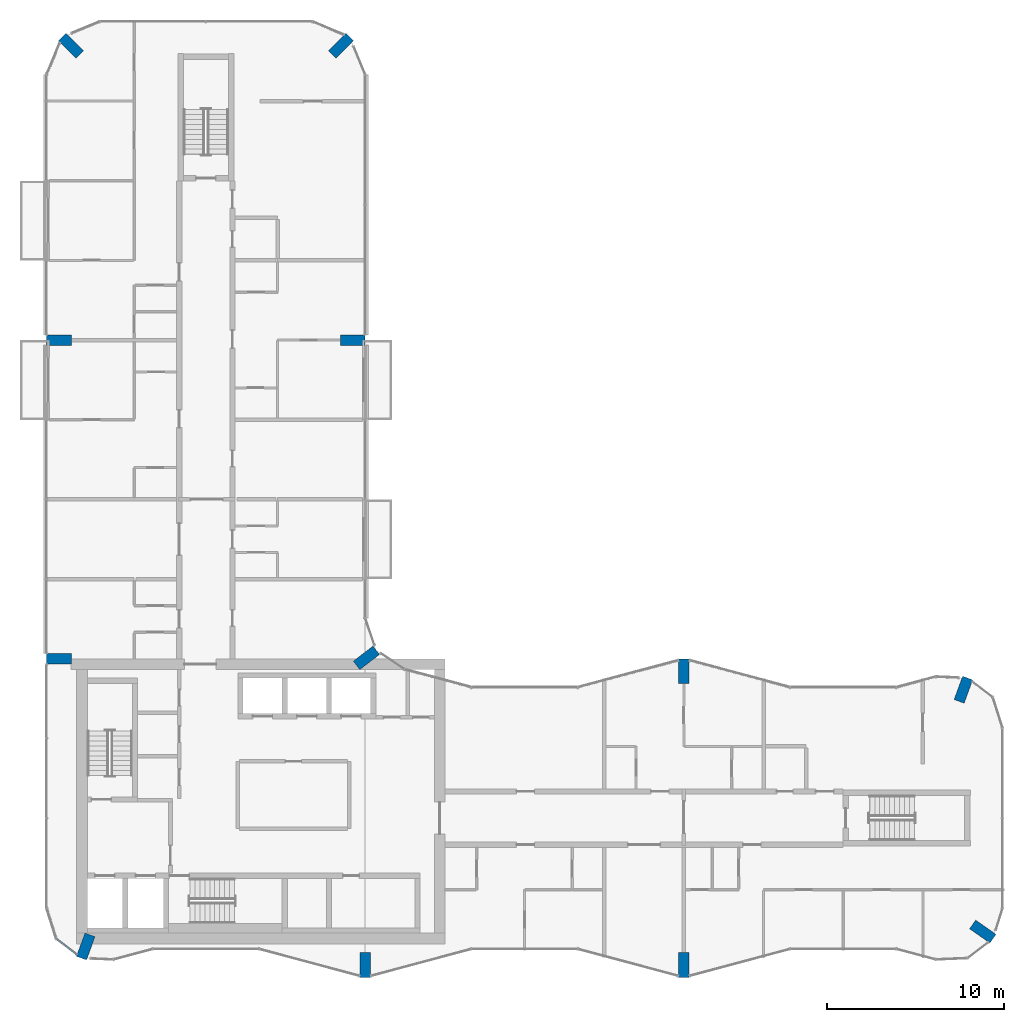
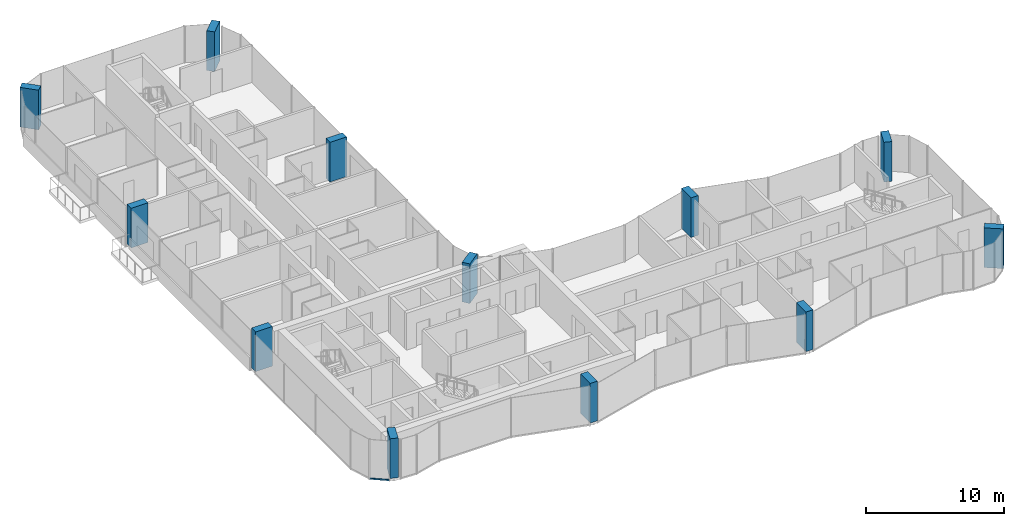
# One storey, part 1 of 15: 12 columns, 1 member, 1 element without a shape of its own.
"""IFC4 building model written with IfcOpenShell, lengths in metres."""

from ifc_helpers import new_model, si_unit, direction, frame, origin, origin_2d, place, context, subcontext, project, spatial, rectangle, extrude, material, layer, layer_set, material_profile, profile_set, type_object, element, aggregate, save


model = new_model("IFC4")

# Units and contexts
model_context = context("Model", 3, precision=1e-05, world=origin(), true_north=direction((0.0, 1.0)))
body_context = subcontext(model_context, "Body", "Model", "MODEL_VIEW")
ifc_project = project(units=[si_unit("LENGTHUNIT", "METRE"), si_unit("AREAUNIT", "SQUARE_METRE"), si_unit("VOLUMEUNIT", "CUBIC_METRE"), si_unit("PLANEANGLEUNIT", "RADIAN"), si_unit("MASSUNIT", "GRAM", prefix="KILO")], contexts=[model_context])

# Site, building, storey
site_placement = place(None, origin())
site = spatial("IfcSite", under=ifc_project, at=site_placement, CompositionType="ELEMENT")
building_placement = place(site_placement, origin())
building = spatial("IfcBuilding", under=site, at=building_placement, Name="Plateau Cross Towers", CompositionType="ELEMENT")
storey_placement = place(building_placement, frame((0.0, 0.0, 156.89990234375)))
storey = spatial("IfcBuildingStorey", under=building, at=storey_placement, Name="L40", CompositionType="ELEMENT", Elevation=156.89990234375)

# Columns
ifc_material_1 = material(Name="Concrete C60/75", Category="concrete")
ifc_material_profile_1 = material_profile(ifc_material_1, rectangle(XDim=0.60009765625, YDim=1.39990234375, at=origin_2d()), Name="RC 600x1400")
ifc_profile_set_1 = profile_set([ifc_material_profile_1], Name="Concrete C60/75")
column_type = type_object("IfcColumnType", Name="Fin pier column RC 600x1400", PredefinedType="COLUMN", material=ifc_profile_set_1)
for number, where, z_axis, x_axis, name in (
    (1, (18.0, 0.699951171875, 0.0), (0.0, 0.0, 1.0), (1.0, 0.0, 0.0), "PR1 L40"),
    (2, (36.0, 0.699951171875, 0.0), (0.0, 0.0, 1.0), (1.0, 0.0, 0.0), "PR2 L40"),
    (3, (52.884033203125, 2.590087890625, 0.0), (0.0, 0.0, 1.0), (0.573542637991, 0.819175709117, 0.0), "PR3 L40"),
    (4, (51.786865234375, 16.251953125, 0.0), (0.0, 0.0, 1.0), (-0.939664280925, 0.342097996418, 0.0), "PR4 L40"),
    (5, (36.0, 17.300048828125, 0.0), (0.0, 0.0, 1.0), (1.0, 0.0, 0.0), "PR5 L40"),
    (6, (18.064697265625, 18.049560546875, 0.0), (0.0, 0.0, 1.0), (-0.608810846443, 0.793315418515, 0.0), "PR6 L40"),
    (7, (17.300048828125, 36.0, 0.0), (0.0, 0.0, 1.0), (0.0, 1.0, 0.0), "PR7 L40"),
    (8, (16.62646484375, 52.62646484375, 0.0), (0.0, 0.0, 1.0), (-0.707106781187, 0.707106781187, 0.0), "PR8 L40"),
    (9, (1.37353515625, 52.62646484375, 0.0), (0.0, 0.0, 1.0), (0.707106781187, 0.707106781187, 0.0), "PR9 L40"),
    (10, (0.699951171875, 36.0, 0.0), (0.0, 0.0, 1.0), (0.0, 1.0, 0.0), "PR10 L40"),
    (11, (0.699951171875, 18.0, 0.0), (0.0, 0.0, 1.0), (0.0, 1.0, 0.0), "PR11 L40"),
    (12, (2.213134765625, 1.748046875, 0.0), (0.0, 0.0, 1.0), (-0.939664280925, 0.342097996418, 0.0), "PR12 L40"),
):
    element("IfcColumn", number, at=place(storey_placement, frame(where, z_axis=z_axis, x_axis=x_axis)), inside=storey, type_object=column_type, Name=name, PredefinedType="COLUMN", context=body_context, shape_type="SweptSolid", body=[
        extrude(rectangle(XDim=0.60009765625, YDim=1.39990234375, at=origin_2d()), origin(), (0.0, 0.0, 1.0), 3.5),
    ])

# Curtain wall, member
ifc_material_2 = material(Name="Dark low-iron glass", Category="glass")
ifc_layer = layer(ifc_material_2, 0.239990234375)
ifc_layer_set = layer_set([ifc_layer], Name="Dark low-iron glass")
curtain_wall_type = type_object("IfcCurtainWallType", Name="Curtain wall flush unitised CW-B", PredefinedType="NOTDEFINED", material=ifc_layer_set)
curtain_wall_placement = place(storey_placement, origin())
curtain_wall = element("IfcCurtainWall", 13, at=curtain_wall_placement, inside=storey, type_object=curtain_wall_type, Name="ENV/A/L40/A5_22", PredefinedType="NOTDEFINED")
ifc_material_3 = material(Name="Black anodised aluminium", Category="aluminium")
ifc_material_profile_2 = material_profile(ifc_material_3, rectangle(XDim=0.10009765625, YDim=0.1201171875, at=origin_2d()), Name="TRANSOM 100x120")
ifc_profile_set_2 = profile_set([ifc_material_profile_2], Name="Black anodised aluminium")
member_type = type_object("IfcMemberType", Name="Transom 100x120 flush unitised", PredefinedType="USERDEFINED", material=ifc_profile_set_2)
member_placement = place(storey_placement, frame((0.54248046875, 2.1884765625, -0.18994140625), z_axis=(0.793320508571, -0.608804213751, 0.0), x_axis=(0.608804213751, 0.793320508571, 0.0)))
member = element("IfcMember", 14, at=member_placement, type_object=member_type, Name="CW-B transom", ObjectType="TRANSOM", PredefinedType="USERDEFINED", context=body_context, shape_type="SweptSolid", body=[
    extrude(rectangle(XDim=0.10009765625, YDim=0.1201171875, at=origin_2d()), origin(), (0.0, 0.0, 1.0), 1.471435546875),
])
aggregate(curtain_wall, [member])

save(model, "model.ifc")
